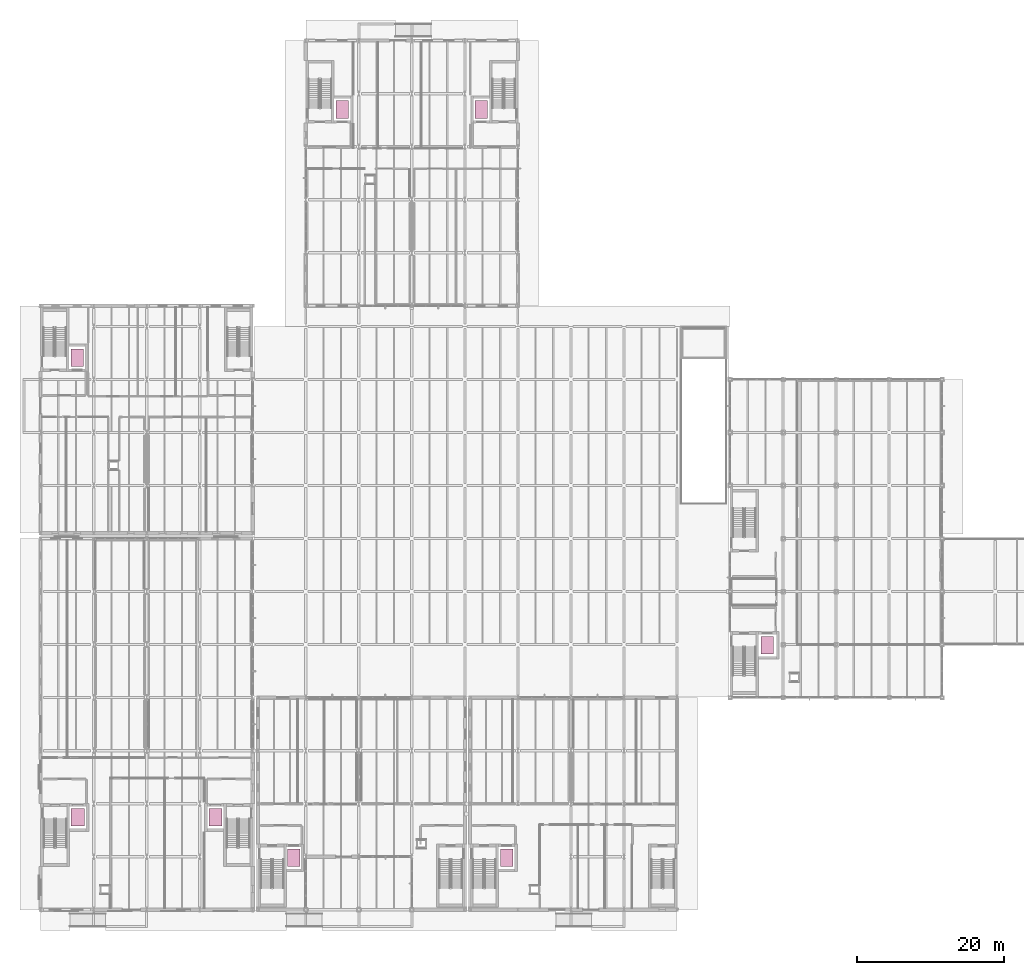
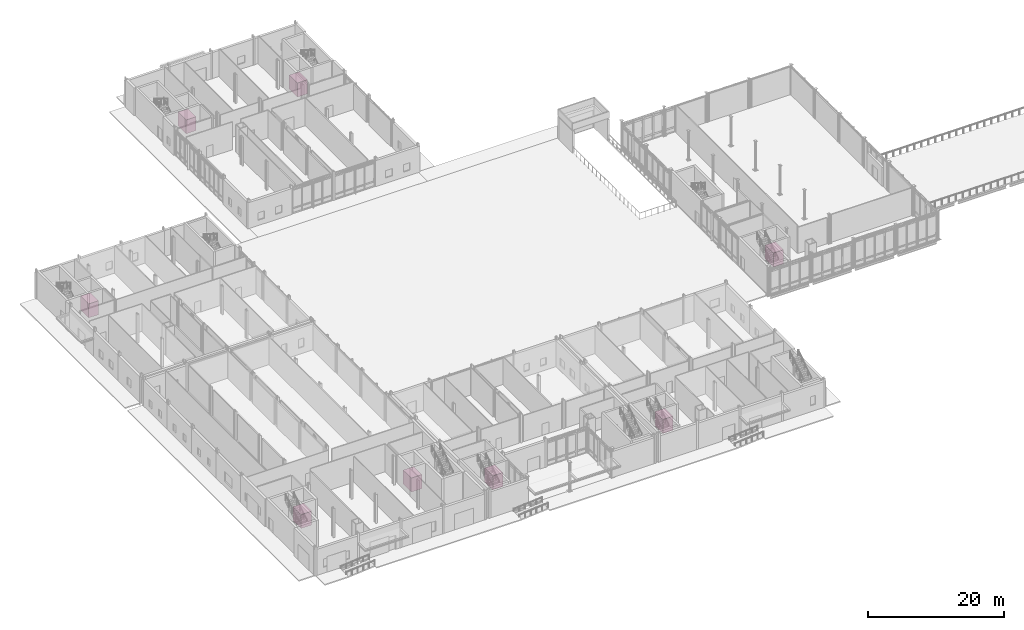
# One storey, part 89 of 89: 8 transport elements.
"""IFC4 building model written with IfcOpenShell, lengths in metres."""

from ifc_helpers import new_model, si_unit, direction, frame, origin, origin_2d, place, context, subcontext, project, spatial, rectangle, extrude, material, type_object, element, save


model = new_model("IFC4")

# Units and contexts
model_context = context("Model", 3, precision=1e-05, world=origin(), true_north=direction((0.0, 1.0)))
body_context = subcontext(model_context, "Body", "Model", "MODEL_VIEW")
ifc_project = project(units=[si_unit("LENGTHUNIT", "METRE"), si_unit("AREAUNIT", "SQUARE_METRE"), si_unit("VOLUMEUNIT", "CUBIC_METRE"), si_unit("PLANEANGLEUNIT", "RADIAN"), si_unit("MASSUNIT", "GRAM", prefix="KILO")], contexts=[model_context])

# Site, building, storey
site_placement = place(None, origin())
site = spatial("IfcSite", under=ifc_project, at=site_placement, CompositionType="ELEMENT")
building_placement = place(site_placement, origin())
building = spatial("IfcBuilding", under=site, at=building_placement, Name="Zarrinpeak Specialist Clinic", CompositionType="ELEMENT")
storey_placement = place(building_placement, origin())
storey = spatial("IfcBuildingStorey", under=building, at=storey_placement, Name="L00", CompositionType="ELEMENT", Elevation=0.0)

# Transport elements
ifc_material = material(Name="Brushed Stainless Steel 316", Category="steel")
transport_element_type_1 = type_object("IfcTransportElementType", Name="TR-LIFT-FF", PredefinedType="ELEVATOR", material=ifc_material)
for number, where, z_axis, x_axis, name in (
    (1, (5.050048828125, 12.550048828125, 0.0), (0.0, 0.0, 1.0), (1.0, 0.0, 0.0), "Elevator Car LF-FF1 (Firefighting)"),
    (2, (23.75, 12.550048828125, 0.0), (0.0, 0.0, 1.0), (1.0, 0.0, 0.0), "Elevator Car LF-FF2 (Firefighting)"),
):
    element("IfcTransportElement", number, at=place(storey_placement, frame(where, z_axis=z_axis, x_axis=x_axis)), inside=storey, type_object=transport_element_type_1, Name=name, PredefinedType="ELEVATOR", context=body_context, shape_type="SweptSolid", body=[
        extrude(rectangle(XDim=1.800048828125, YDim=2.39990234375, at=origin_2d()), origin(), (0.0, 0.0, 1.0), 2.5),
    ])
transport_element_type_2 = type_object("IfcTransportElementType", Name="TR-LIFT-PS", PredefinedType="ELEVATOR", material=ifc_material)
for number, where, z_axis, x_axis, name in (
    (3, (34.3701171875, 7.050048828125, 0.0), (0.0, 0.0, 1.0), (1.0, 0.0, 0.0), "Elevator Car LF-P2 (Stretcher Passenger)"),
    (4, (98.675048828125, 35.89990234375, 0.0), (0.0, 0.0, 1.0), (1.0, 0.0, 0.0), "Elevator Car LF-P3 (Stretcher Passenger)"),
    (5, (63.27001953125, 7.050048828125, 0.0), (0.0, 0.0, 1.0), (1.0, 0.0, 0.0), "Elevator Car LF-P4 (Stretcher Passenger)"),
    (6, (4.949951171875, 74.949951171875, 0.0), (0.0, 0.0, 1.0), (1.0, 0.0, 0.0), "Elevator Car LF-P5 (Stretcher Passenger)"),
    (7, (40.949951171875, 108.64990234375, 0.0), (0.0, 0.0, 1.0), (1.0, 0.0, 0.0), "Elevator Car LF-P1 (Stretcher Passenger)"),
    (8, (59.85009765625, 108.64990234375, 0.0), (0.0, 0.0, 1.0), (1.0, 0.0, 0.0), "Elevator Car LF-P6 (Stretcher Passenger)"),
):
    element("IfcTransportElement", number, at=place(storey_placement, frame(where, z_axis=z_axis, x_axis=x_axis)), inside=storey, type_object=transport_element_type_2, Name=name, PredefinedType="ELEVATOR", context=body_context, shape_type="SweptSolid", body=[
        extrude(rectangle(XDim=1.699951171875, YDim=2.39990234375, at=origin_2d()), origin(), (0.0, 0.0, 1.0), 2.5),
    ])

save(model, "model.ifc")
